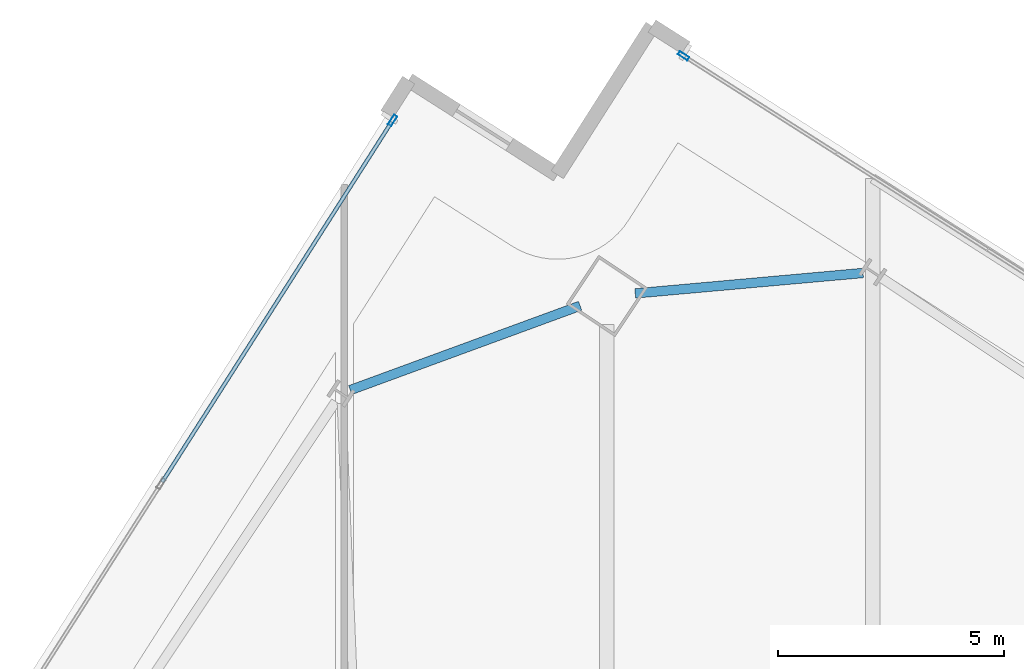
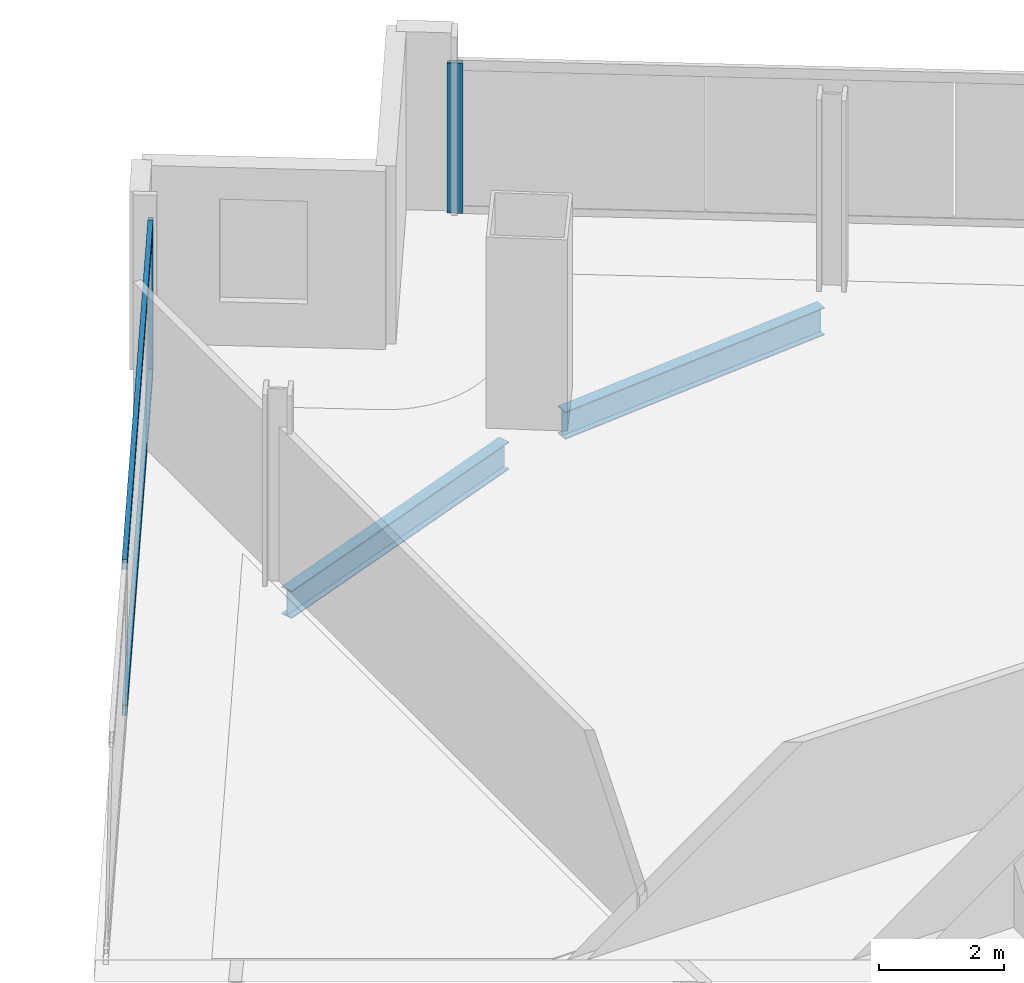
# One storey, part 15 of 30: 4 members, 2 beams, 2 elements without a shape of their own.
"""IFC4 building model written with IfcOpenShell, lengths in metres."""

from ifc_helpers import new_model, si_unit, direction, frame, origin, origin_2d, place, context, subcontext, project, spatial, hollow_rectangle, i_section, extrude, material, material_profile, profile_set, type_object, element, aggregate, save


model = new_model("IFC4")

# Units and contexts
model_context = context("Model", 3, precision=1e-05, world=origin(), true_north=direction((0.0, 1.0)))
body_context = subcontext(model_context, "Body", "Model", "MODEL_VIEW")
ifc_project = project(units=[si_unit("LENGTHUNIT", "METRE"), si_unit("AREAUNIT", "SQUARE_METRE"), si_unit("VOLUMEUNIT", "CUBIC_METRE"), si_unit("PLANEANGLEUNIT", "RADIAN"), si_unit("MASSUNIT", "GRAM", prefix="KILO")], contexts=[model_context])

# Site, building, storey
site_placement = place(None, origin())
site = spatial("IfcSite", under=ifc_project, at=site_placement, CompositionType="ELEMENT")
building_placement = place(site_placement, origin())
building = spatial("IfcBuilding", under=site, at=building_placement, Name="Haldenkirk Collegiate Tower", CompositionType="ELEMENT")
storey_placement = place(building_placement, frame((0.0, 0.0, 220.949951171875)))
storey = spatial("IfcBuildingStorey", under=building, at=storey_placement, Name="L55", CompositionType="ELEMENT", Elevation=220.949951171875)

# Beams
ifc_material_1 = material(Name="Steel ASTM A992 Grade 50", Category="steel")
ifc_material_profile_1 = material_profile(ifc_material_1, i_section(OverallWidth=0.2099609375, OverallDepth=0.537109375, WebThickness=0.010986328125, FlangeThickness=0.017333984375, at=origin_2d()), Name="W21X68")
ifc_profile_set_1 = profile_set([ifc_material_profile_1], Name="Steel ASTM A992 Grade 50")
beam_type = type_object("IfcBeamType", Name="BM-SPANDREL-W21X68", PredefinedType="SPANDREL", material=ifc_profile_set_1)
beam_1_placement = place(storey_placement, frame((37.9765625, 50.649169921875, -0.54833984375), z_axis=(-0.996001224794, -0.089339578066, 0.0), x_axis=(0.089339578066, -0.996001224794, 0.0)))
element("IfcBeam", 1, at=beam_1_placement, inside=storey, type_object=beam_type, Name="L55 perimeter spandrel beam 08", PredefinedType="SPANDREL", context=body_context, shape_type="SweptSolid", body=[
    extrude(i_section(OverallWidth=0.2099609375, OverallDepth=0.537109375, WebThickness=0.010986328125, FlangeThickness=0.017333984375, at=origin_2d()), origin(), (0.0, 0.0, 1.0), 5.06103515625),
])
beam_2_placement = place(storey_placement, frame((31.716796875, 49.923828125, -0.54833984375), z_axis=(-0.938842319963, -0.344347351153, 0.0), x_axis=(0.344347351153, -0.938842319963, 0.0)))
element("IfcBeam", 2, at=beam_2_placement, inside=storey, type_object=beam_type, Name="L55 perimeter spandrel beam 09", PredefinedType="SPANDREL", context=body_context, shape_type="SweptSolid", body=[
    extrude(i_section(OverallWidth=0.2099609375, OverallDepth=0.537109375, WebThickness=0.010986328125, FlangeThickness=0.017333984375, at=origin_2d()), origin(), (0.0, 0.0, 1.0), 5.416748046875),
])

# Curtain wall, member
ifc_material_2 = material(Name="Anodised architectural bronze aluminium", Category="aluminium")
curtain_wall_type = type_object("IfcCurtainWallType", Name="CW-SYS1B-CONVEX-HI", PredefinedType="USERDEFINED", material=ifc_material_2)
curtain_wall_1_placement = place(storey_placement, origin())
curtain_wall_1 = element("IfcCurtainWall", 3, at=curtain_wall_1_placement, inside=storey, type_object=curtain_wall_type, Name="L55 Upper tower high-wind convex bronze unitised curtain wall", ObjectType="UNITISED CURTAIN WALL", PredefinedType="USERDEFINED")
ifc_material_profile_2 = material_profile(ifc_material_2, hollow_rectangle(XDim=0.0849609375, YDim=0.25, WallThickness=0.0048828125, at=origin_2d()), Name="CW-MUL-1B")
ifc_profile_set_2 = profile_set([ifc_material_profile_2], Name="Anodised architectural bronze aluminium")
member_type_1 = type_object("IfcMemberType", Name="CW-MUL-1B", PredefinedType="MULLION", material=ifc_profile_set_2)
member_1_placement = place(storey_placement, frame((34.006103515625, 55.4541015625, 0.0), z_axis=(0.0, 0.0, 1.0), x_axis=(0.537299803563, 0.843391321447, 0.0)))
member_1 = element("IfcMember", 4, at=member_1_placement, type_object=member_type_1, Name="CW-1B mullion 1", PredefinedType="MULLION", context=body_context, shape_type="SweptSolid", body=[
    extrude(hollow_rectangle(XDim=0.0849609375, YDim=0.25, WallThickness=0.0048828125, at=origin_2d()), origin(), (0.0, 0.0, 1.0), 2.927978515625),
])
aggregate(curtain_wall_1, [member_1])

# Curtain wall, members
curtain_wall_2_placement = place(storey_placement, origin())
curtain_wall_2 = element("IfcCurtainWall", 5, at=curtain_wall_2_placement, inside=storey, type_object=curtain_wall_type, Name="L55 Upper tower high-wind convex bronze unitised curtain wall", ObjectType="UNITISED CURTAIN WALL", PredefinedType="USERDEFINED")
member_2_placement = place(storey_placement, frame((27.568359375, 54.02685546875, 0.0), z_axis=(0.0, 0.0, 1.0), x_axis=(-0.843390453731, 0.5373011656, 0.0)))
member_2 = element("IfcMember", 6, at=member_2_placement, type_object=member_type_1, Name="CW-1B mullion 5", PredefinedType="MULLION", context=body_context, shape_type="SweptSolid", body=[
    extrude(hollow_rectangle(XDim=0.0849609375, YDim=0.25, WallThickness=0.0048828125, at=origin_2d()), origin(), (0.0, 0.0, 1.0), 2.927978515625),
])
ifc_material_profile_3 = material_profile(ifc_material_2, hollow_rectangle(XDim=0.0849609375, YDim=0.199951171875, WallThickness=0.0048828125, at=origin_2d()), Name="CW-TRN-1B")
ifc_profile_set_3 = profile_set([ifc_material_profile_3], Name="Anodised architectural bronze aluminium")
member_type_2 = type_object("IfcMemberType", Name="CW-TRN-1B", PredefinedType="USERDEFINED", material=ifc_profile_set_3)
member_3_placement = place(storey_placement, frame((22.469482421875, 46.023193359375, 0.04248046875), z_axis=(0.537298466827, 0.84339217304, 0.0), x_axis=(-0.84339217304, 0.537298466827, 0.0)))
member_3 = element("IfcMember", 7, at=member_3_placement, type_object=member_type_2, Name="CW-1B transom 4.1", ObjectType="TRANSOM", PredefinedType="USERDEFINED", context=body_context, shape_type="SweptSolid", body=[
    extrude(hollow_rectangle(XDim=0.0849609375, YDim=0.199951171875, WallThickness=0.0048828125, at=origin_2d()), origin(), (0.0, 0.0, 1.0), 9.447509765625),
])
member_4_placement = place(storey_placement, frame((22.469482421875, 46.023193359375, 2.885498046875), z_axis=(0.537298466827, 0.84339217304, 0.0), x_axis=(-0.84339217304, 0.537298466827, 0.0)))
member_4 = element("IfcMember", 8, at=member_4_placement, type_object=member_type_2, Name="CW-1B transom 4.2", ObjectType="TRANSOM", PredefinedType="USERDEFINED", context=body_context, shape_type="SweptSolid", body=[
    extrude(hollow_rectangle(XDim=0.0849609375, YDim=0.199951171875, WallThickness=0.0048828125, at=origin_2d()), origin(), (0.0, 0.0, 1.0), 9.447509765625),
])
aggregate(curtain_wall_2, [member_2, member_3, member_4])

save(model, "model.ifc")
